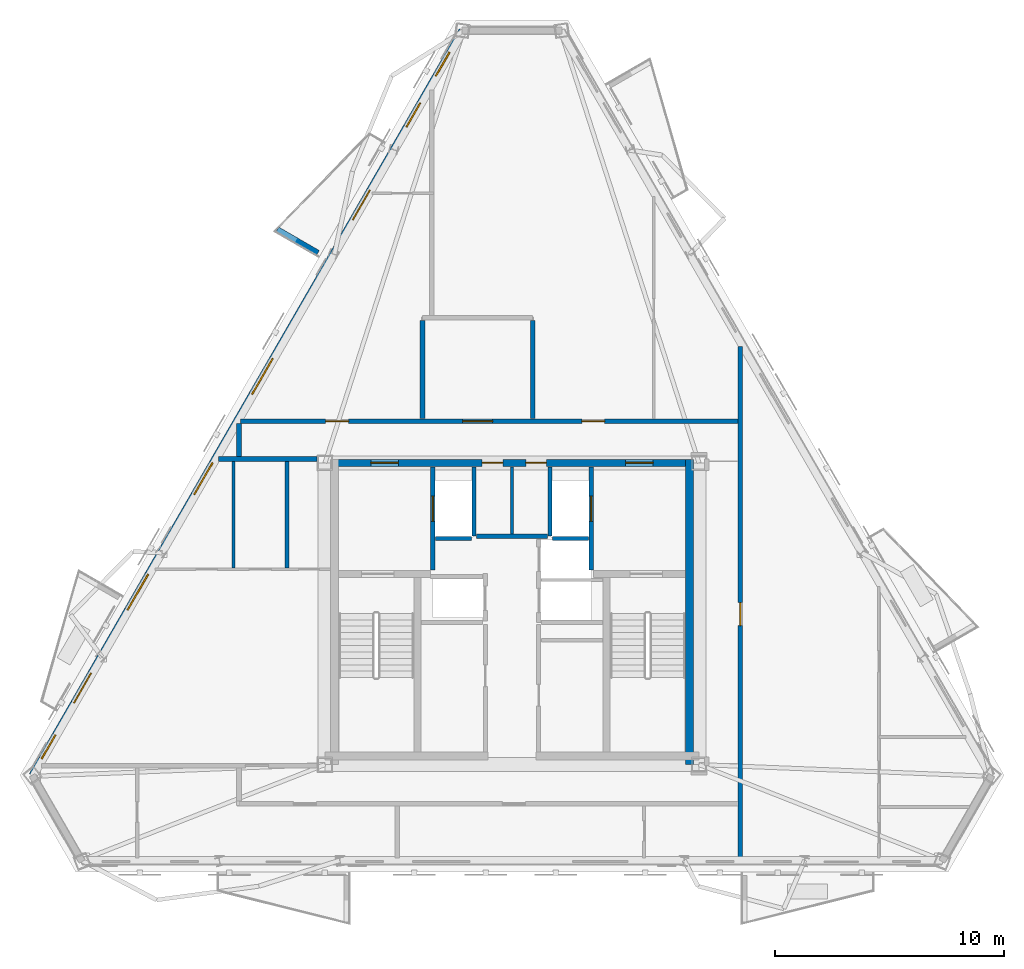
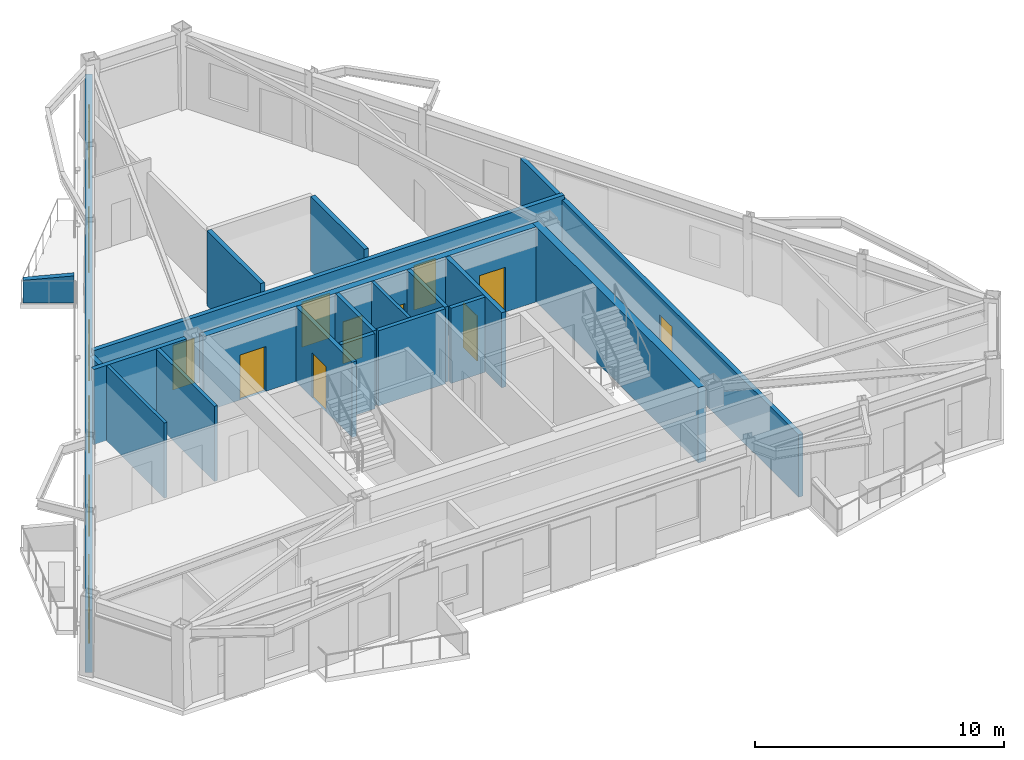
# One storey, part 4 of 9: 20 walls, 12 doors, 6 windows, 18 openings.
"""IFC4 building model written with IfcOpenShell, lengths in metres."""

import ifcopenshell
import ifcopenshell.guid

model = None  # the IFC model being written
_history = None  # IfcOwnerHistory: only IFC2X3 demands one
_inside = {}  # id of a spatial element -> (the spatial element, [elements in it])
_under = {}  # id of a project, library or spatial element -> (it, [spatial elements below it])
_declared = {}  # id of a project -> (the project, [libraries it declares])
_typed = {}  # id of a type object -> (the type object, [elements of that type])
_made_of = {}  # id of a material, layer set ... -> (it, [elements and type objects made of it])


def new_model(schema):
    """Start an empty IFC model of exactly this schema.

    Asked for "IFC4X3", IfcOpenShell would pick the latest addendum, in which some entities
    have other attributes; the version numbers below select the first issue.
    IFC2X3 requires an IfcOwnerHistory on every rooted entity: one is made here for all.
    """
    global model, _history
    if schema == "IFC4X3":
        model = ifcopenshell.file(schema_version=(4, 3, 0, 0))
    else:
        model = ifcopenshell.file(schema=schema)
    _inside.clear()
    _under.clear()
    _declared.clear()
    _typed.clear()
    _made_of.clear()
    _history = None
    if model.schema == "IFC2X3":
        org = make("IfcOrganization", Name="unknown")
        user = make(
            "IfcPersonAndOrganization",
            ThePerson=make("IfcPerson", FamilyName="unknown"),
            TheOrganization=org,
        )
        app = make(
            "IfcApplication",
            ApplicationDeveloper=org,
            Version="unknown",
            ApplicationFullName="unknown",
            ApplicationIdentifier="unknown",
        )
        _history = make(
            "IfcOwnerHistory",
            OwningUser=user,
            OwningApplication=app,
            ChangeAction="ADDED",
            CreationDate=0,
        )
    return model


def make(cls, **values):
    """One entity of the class cls with the attributes given. An attribute that is None is left unset."""
    return model.create_entity(
        cls, **{name: value for name, value in values.items() if value is not None}
    )


def rooted(cls, **values):
    """An entity with a GlobalId (a new one), such as an element, a storey or a relation."""
    return make(cls, GlobalId=ifcopenshell.guid.new(), OwnerHistory=_history, **values)


def si_unit(unit_type, name, prefix=None):
    """IfcSIUnit, for example si_unit("LENGTHUNIT", "METRE", prefix="MILLI")."""
    return make("IfcSIUnit", UnitType=unit_type, Prefix=prefix, Name=name)


def assignment(units):
    """IfcUnitAssignment: the units of a project."""
    return None if units is None else make("IfcUnitAssignment", Units=units)


def point(xyz):
    """IfcCartesianPoint."""
    return None if xyz is None else make("IfcCartesianPoint", Coordinates=xyz)


def direction(xyz):
    """IfcDirection."""
    return None if xyz is None else make("IfcDirection", DirectionRatios=xyz)


def frame(location, z_axis=None, x_axis=None):
    """IfcAxis2Placement3D, a coordinate frame: its origin and axes. An axis left out is left unset."""
    return make(
        "IfcAxis2Placement3D",
        Location=point(location),
        Axis=direction(z_axis),
        RefDirection=direction(x_axis),
    )


def frame_2d(location, x_axis=None):
    """IfcAxis2Placement2D, a coordinate frame in the plane: its origin and x axis."""
    return make(
        "IfcAxis2Placement2D", Location=point(location), RefDirection=direction(x_axis)
    )


def origin():
    """The frame at (0, 0, 0) with its axes left unset."""
    return frame((0.0, 0.0, 0.0))


def place(relative_to, where):
    """IfcLocalPlacement: puts the frame where relative to a parent placement (None: the world)."""
    return make(
        "IfcLocalPlacement", PlacementRelTo=relative_to, RelativePlacement=where
    )


def context(
    kind, dimensions, precision=None, world=None, true_north=None, identifier=None
):
    """IfcGeometricRepresentationContext, for example the 3D "Model" context."""
    return make(
        "IfcGeometricRepresentationContext",
        ContextIdentifier=identifier,
        ContextType=kind,
        CoordinateSpaceDimension=dimensions,
        Precision=precision,
        WorldCoordinateSystem=world,
        TrueNorth=true_north,
    )


def subcontext(parent, identifier, kind, view, scale=None):
    """IfcGeometricRepresentationSubContext, for example "Body" below "Model"."""
    return make(
        "IfcGeometricRepresentationSubContext",
        ContextIdentifier=identifier,
        ContextType=kind,
        ParentContext=parent,
        TargetScale=scale,
        TargetView=view,
    )


def project(units=None, contexts=None):
    """IfcProject with its units and contexts."""
    return rooted(
        "IfcProject",
        Name="project",
        RepresentationContexts=contexts,
        UnitsInContext=assignment(units),
    )


def spatial(cls, under=None, at=None, **own):
    """A site, building, storey or space (cls), placed at a placement, below another one or the project."""
    s = rooted(cls, ObjectPlacement=at, **own)
    if under is not None:
        _under.setdefault(under.id(), (under, []))[1].append(s)
    return s


def polyline(points):
    """IfcPolyline through the points."""
    return make("IfcPolyline", Points=[point(p) for p in points])


def profile(cls, at=None, kind="AREA", **sizes):
    """A parametric profile (cls). Its sizes go by their IFC names, for example OverallWidth=200.0."""
    return make(cls, ProfileType=kind, Position=at, **sizes)


def rectangle(**sizes):
    """IfcRectangleProfileDef."""
    return profile("IfcRectangleProfileDef", **sizes)


def outline(outer, holes=None, kind="AREA"):
    """IfcArbitraryClosedProfileDef: a profile drawn as a closed curve; with holes, ...WithVoids."""
    if holes is None:
        return make("IfcArbitraryClosedProfileDef", ProfileType=kind, OuterCurve=outer)
    return make(
        "IfcArbitraryProfileDefWithVoids",
        ProfileType=kind,
        OuterCurve=outer,
        InnerCurves=holes,
    )


def extrude(swept, where, along, depth):
    """IfcExtrudedAreaSolid: the profile swept, set in the frame where, extruded along a direction by depth."""
    return make(
        "IfcExtrudedAreaSolid",
        SweptArea=swept,
        Position=where,
        ExtrudedDirection=direction(along),
        Depth=depth,
    )


def shape(context_of_items, identifier, shape_type, items):
    """IfcShapeRepresentation: the items that make up one representation, for example the "Body"."""
    return make(
        "IfcShapeRepresentation",
        ContextOfItems=context_of_items,
        RepresentationIdentifier=identifier,
        RepresentationType=shape_type,
        Items=items,
    )


def material(Name=None, Category=None):
    """IfcMaterial."""
    return make("IfcMaterial", Name=Name, Category=Category)


def layer(
    of_material, thickness, ventilated=None, Name=None, Category=None, Priority=None
):
    """IfcMaterialLayer: one layer of a wall or slab, of a material (None: an air gap)."""
    return make(
        "IfcMaterialLayer",
        Material=of_material,
        LayerThickness=thickness,
        IsVentilated=ventilated,
        Name=Name,
        Category=Category,
        Priority=Priority,
    )


def layer_set(layers, Name=None):
    """IfcMaterialLayerSet."""
    return make("IfcMaterialLayerSet", MaterialLayers=layers, LayerSetName=Name)


def made_of(thing, what):
    """Note that an element or type object is made of a material, layer set ...; save() writes the relation."""
    if what is not None:
        _made_of.setdefault(what.id(), (what, []))[1].append(thing)
    return thing


def type_object(cls, material=None, **own):
    """A type object (cls), such as IfcWallType, which elements share."""
    return made_of(rooted(cls, **own), material)


def element(
    cls,
    number,
    at=None,
    inside=None,
    cuts=None,
    type_object=None,
    material=None,
    context=None,
    identifier="Body",
    shape_type=None,
    held_by="IfcProductDefinitionShape",
    body=None,
    shapes=None,
    **own,
):
    """One element of the class cls, such as IfcWall. Its Tag is "e" and its number.

    at: its placement. inside: the storey or other place that contains it. cuts: it is an
    opening in that element (IfcRelVoidsElement). A single representation is given by context,
    identifier, shape_type and body (its items); several are given by shapes. held_by: the class
    of the entity that holds the representations. save() writes the other relations.
    """
    e = rooted(cls, Tag="e%d" % number, ObjectPlacement=at, **own)
    if body is not None:
        shapes = [shape(context, identifier, shape_type, body)]
    if shapes is not None:
        e.Representation = make(held_by, Representations=shapes)
    if inside is not None:
        _inside.setdefault(inside.id(), (inside, []))[1].append(e)
    if cuts is not None:
        rooted(
            "IfcRelVoidsElement", RelatingBuildingElement=cuts, RelatedOpeningElement=e
        )
    if type_object is not None:
        _typed.setdefault(type_object.id(), (type_object, []))[1].append(e)
    return made_of(e, material)


def fill(opening, filler):
    """IfcRelFillsElement: the door or window that sits in an opening."""
    return rooted(
        "IfcRelFillsElement",
        RelatingOpeningElement=opening,
        RelatedBuildingElement=filler,
    )


def aggregate(whole, parts):
    """IfcRelAggregates: a whole, such as a stair, and the parts it consists of."""
    return rooted("IfcRelAggregates", RelatingObject=whole, RelatedObjects=parts)


def save(model, path):
    """Write the relations noted so far, then the file.

    IfcRelAggregates (storeys below a building ...), IfcRelContainedInSpatialStructure (elements
    in a storey), IfcRelDefinesByType, IfcRelAssociatesMaterial and IfcRelDeclares: one each for
    every whole, place, type object, material and project.
    """
    for whole, parts in _under.values():
        aggregate(whole, parts)
    for where, things in _inside.values():
        rooted(
            "IfcRelContainedInSpatialStructure",
            RelatedElements=things,
            RelatingStructure=where,
        )
    for kind, things in _typed.values():
        rooted("IfcRelDefinesByType", RelatedObjects=things, RelatingType=kind)
    for what, things in _made_of.values():
        rooted("IfcRelAssociatesMaterial", RelatedObjects=things, RelatingMaterial=what)
    for by, libraries in _declared.values():
        rooted("IfcRelDeclares", RelatingContext=by, RelatedDefinitions=libraries)
    model.write(path)


model = new_model("IFC4")

# Units and contexts
model_context = context("Model", 3, precision=1e-05, world=origin(), true_north=direction((0.0, 1.0)))
body_context = subcontext(model_context, "Body", "Model", "MODEL_VIEW")
ifc_project = project(units=[si_unit("LENGTHUNIT", "METRE"), si_unit("AREAUNIT", "SQUARE_METRE"), si_unit("VOLUMEUNIT", "CUBIC_METRE"), si_unit("PLANEANGLEUNIT", "RADIAN"), si_unit("MASSUNIT", "GRAM", prefix="KILO")], contexts=[model_context])

# Site, building, storey
site_placement = place(None, origin())
site = spatial("IfcSite", under=ifc_project, at=site_placement, CompositionType="ELEMENT")
building_placement = place(site_placement, origin())
building = spatial("IfcBuilding", under=site, at=building_placement, Name="Oramaril Tower", CompositionType="ELEMENT")
storey_placement = place(building_placement, frame((0.0, 0.0, 285.0)))
storey = spatial("IfcBuildingStorey", under=building, at=storey_placement, Name="L75", CompositionType="ELEMENT", Elevation=285.0)

# Wall, openings, doors, windows
ifc_material_1 = material(Name="Warm Cream Limestone", Category="masonry")
ifc_layer_1 = layer(ifc_material_1, 0.2900390625)
ifc_layer_set_1 = layer_set([ifc_layer_1], Name="WT-EXT29")
wall_type_1 = type_object("IfcWallType", Name="WT-EXT29", PredefinedType="SOLIDWALL", material=ifc_layer_set_1)
wall_1_placement = place(storey_placement, frame((35.325927734375, 42.994873046875, 0.0), z_axis=(0.0, 0.0, 1.0), x_axis=(-0.499999864727, -0.866025481884, 0.0)))
wall_1 = element("IfcWall", 1, at=wall_1_placement, inside=storey, type_object=wall_type_1, Name="L75 Tower Limestone Facade Wall 6M", PredefinedType="SOLIDWALL", context=body_context, shape_type="SweptSolid", body=[
    extrude(rectangle(XDim=37.48095703125, YDim=0.2900390625, at=frame_2d((18.740478515625, 0.0))), origin(), (0.0, 0.0, 1.0), 3.05810546875),
])
opening_1_placement = place(wall_1_placement, frame((8.034423828125, 0.0, 0.0)))
opening_1 = element("IfcOpeningElement", 2, at=opening_1_placement, cuts=wall_1, Name="Opening D-L75-BAL-NW1", PredefinedType="OPENING", context=body_context, shape_type="SweptSolid", body=[
    extrude(rectangle(XDim=1.5, YDim=2.199951171875, at=frame_2d((0.75, 1.10009765625))), frame((0.0, 0.14501953125, 0.0), z_axis=(0.0, -1.0, 0.0), x_axis=(1.0, 0.0, 0.0)), (0.0, 0.0, 1.0), 0.2900390625),
])
opening_2_placement = place(wall_1_placement, frame((32.34130859375, 0.0, 0.0)))
opening_2 = element("IfcOpeningElement", 3, at=opening_2_placement, cuts=wall_1, Name="Opening D-L75-BAL-NW2", PredefinedType="OPENING", context=body_context, shape_type="SweptSolid", body=[
    extrude(rectangle(XDim=1.5, YDim=2.199951171875, at=frame_2d((0.75, 1.10009765625))), frame((0.0, 0.14501953125, 0.0), z_axis=(0.0, -1.0, 0.0), x_axis=(1.0, 0.0, 0.0)), (0.0, 0.0, 1.0), 0.2900390625),
])
opening_3_placement = place(wall_1_placement, frame((35.4541015625, 0.0, 0.85009765625)))
opening_3 = element("IfcOpeningElement", 4, at=opening_3_placement, cuts=wall_1, Name="Opening WN-09", PredefinedType="OPENING", context=body_context, shape_type="SweptSolid", body=[
    extrude(rectangle(XDim=1.199951171875, YDim=1.47998046875, at=frame_2d((0.60009765625, 0.739990234375))), frame((0.0, 0.14501953125, 0.0), z_axis=(0.0, -1.0, 0.0), x_axis=(1.0, 0.0, 0.0)), (0.0, 0.0, 1.0), 0.2900390625),
])
opening_4_placement = place(wall_1_placement, frame((27.3671875, 0.0, 0.85009765625)))
opening_4 = element("IfcOpeningElement", 5, at=opening_4_placement, cuts=wall_1, Name="Opening WN-06", PredefinedType="OPENING", context=body_context, shape_type="SweptSolid", body=[
    extrude(rectangle(XDim=1.800048828125, YDim=1.75, at=frame_2d((0.89990234375, 0.875))), frame((0.0, 0.14501953125, 0.0), z_axis=(0.0, -1.0, 0.0), x_axis=(1.0, 0.0, 0.0)), (0.0, 0.0, 1.0), 0.2900390625),
])
opening_5_placement = place(wall_1_placement, frame((21.749755859375, 0.0, 0.85009765625)))
opening_5 = element("IfcOpeningElement", 6, at=opening_5_placement, cuts=wall_1, Name="Opening WN-07", PredefinedType="OPENING", context=body_context, shape_type="SweptSolid", body=[
    extrude(rectangle(XDim=1.60009765625, YDim=1.699951171875, at=frame_2d((0.800048828125, 0.85009765625))), frame((0.0, 0.14501953125, 0.0), z_axis=(0.0, -1.0, 0.0), x_axis=(1.0, 0.0, 0.0)), (0.0, 0.0, 1.0), 0.2900390625),
])
opening_6_placement = place(wall_1_placement, frame((16.509521484375, 0.0, 0.85009765625)))
opening_6 = element("IfcOpeningElement", 7, at=opening_6_placement, cuts=wall_1, Name="Opening WN-06", PredefinedType="OPENING", context=body_context, shape_type="SweptSolid", body=[
    extrude(rectangle(XDim=1.800048828125, YDim=1.75, at=frame_2d((0.89990234375, 0.875))), frame((0.0, 0.14501953125, 0.0), z_axis=(0.0, -1.0, 0.0), x_axis=(1.0, 0.0, 0.0)), (0.0, 0.0, 1.0), 0.2900390625),
])
opening_7_placement = place(wall_1_placement, frame((3.651611328125, 0.0, 0.85009765625)))
opening_7 = element("IfcOpeningElement", 8, at=opening_7_placement, cuts=wall_1, Name="Opening WN-09", PredefinedType="OPENING", context=body_context, shape_type="SweptSolid", body=[
    extrude(rectangle(XDim=1.199951171875, YDim=1.47998046875, at=frame_2d((0.60009765625, 0.739990234375))), frame((0.0, 0.14501953125, 0.0), z_axis=(0.0, -1.0, 0.0), x_axis=(1.0, 0.0, 0.0)), (0.0, 0.0, 1.0), 0.2900390625),
])
opening_8_placement = place(wall_1_placement, frame((1.093994140625, 0.0, 0.85009765625)))
opening_8 = element("IfcOpeningElement", 9, at=opening_8_placement, cuts=wall_1, Name="Opening WN-09", PredefinedType="OPENING", context=body_context, shape_type="SweptSolid", body=[
    extrude(rectangle(XDim=1.199951171875, YDim=1.47998046875, at=frame_2d((0.60009765625, 0.739990234375))), frame((0.0, 0.14501953125, 0.0), z_axis=(0.0, -1.0, 0.0), x_axis=(1.0, 0.0, 0.0)), (0.0, 0.0, 1.0), 0.2900390625),
])
ifc_material_2 = material(Name="Anodised Aluminium 6063-T6", Category="aluminium")
door_type_1 = type_object("IfcDoorType", Name="DT-BAL", OperationType="NOTDEFINED", PredefinedType="DOOR", material=ifc_material_2)
door_1_placement = place(opening_1_placement, origin())
door_1 = element("IfcDoor", 10, at=door_1_placement, inside=storey, type_object=door_type_1, Name="L75 Balcony Glazed Door L75-BAL-NW1", OperationType="SINGLE_SWING_RIGHT", OverallHeight=2.199951171875, OverallWidth=1.5, PredefinedType="DOOR", context=body_context, shape_type="SweptSolid", body=[
    extrude(rectangle(XDim=1.5, YDim=2.199951171875, at=frame_2d((0.75, 1.10009765625))), frame((0.0, 0.02490234375, 0.0), z_axis=(0.0, -1.0, 0.0), x_axis=(1.0, 0.0, 0.0)), (0.0, 0.0, 1.0), 0.050048828125),
])
fill(opening_1, door_1)
door_2_placement = place(opening_2_placement, origin())
door_2 = element("IfcDoor", 11, at=door_2_placement, inside=storey, type_object=door_type_1, Name="L75 Balcony Glazed Door L75-BAL-NW2", OperationType="SINGLE_SWING_LEFT", OverallHeight=2.199951171875, OverallWidth=1.5, PredefinedType="DOOR", context=body_context, shape_type="SweptSolid", body=[
    extrude(rectangle(XDim=1.5, YDim=2.199951171875, at=frame_2d((0.75, 1.10009765625))), frame((0.0, 0.02490234375, 0.0), z_axis=(0.0, -1.0, 0.0), x_axis=(1.0, 0.0, 0.0)), (0.0, 0.0, 1.0), 0.050048828125),
])
fill(opening_2, door_2)
ifc_material_3 = material(Name="Coastal Low-E Insulated Glass", Category="glass")
window_type_1 = type_object("IfcWindowType", Name="WNT-06", PartitioningType="SINGLE_PANEL", PredefinedType="WINDOW", material=ifc_material_3)
window_1_placement = place(opening_4_placement, origin())
window_1 = element("IfcWindow", 12, at=window_1_placement, inside=storey, type_object=window_type_1, Name="L75 Chicago Bay Window WN-06", OverallHeight=1.75, OverallWidth=1.800048828125, PartitioningType="SINGLE_PANEL", PredefinedType="WINDOW", context=body_context, shape_type="SweptSolid", body=[
    extrude(rectangle(XDim=1.800048828125, YDim=1.75, at=frame_2d((0.89990234375, 0.875))), frame((0.0, 0.030029296875, 0.0), z_axis=(0.0, -1.0, 0.0), x_axis=(1.0, 0.0, 0.0)), (0.0, 0.0, 1.0), 0.06005859375),
])
fill(opening_4, window_1)
window_2_placement = place(opening_6_placement, origin())
window_2 = element("IfcWindow", 13, at=window_2_placement, inside=storey, type_object=window_type_1, Name="L75 Chicago Bay Window WN-06", OverallHeight=1.75, OverallWidth=1.800048828125, PartitioningType="SINGLE_PANEL", PredefinedType="WINDOW", context=body_context, shape_type="SweptSolid", body=[
    extrude(rectangle(XDim=1.800048828125, YDim=1.75, at=frame_2d((0.89990234375, 0.875))), frame((0.0, 0.030029296875, 0.0), z_axis=(0.0, -1.0, 0.0), x_axis=(1.0, 0.0, 0.0)), (0.0, 0.0, 1.0), 0.06005859375),
])
fill(opening_6, window_2)
ifc_material_4 = material(Name="Coastal Low-E Insulated Glass", Category="glass")
window_type_2 = type_object("IfcWindowType", Name="WNT-07", PartitioningType="SINGLE_PANEL", PredefinedType="WINDOW", material=ifc_material_4)
window_3_placement = place(opening_5_placement, origin())
window_3 = element("IfcWindow", 14, at=window_3_placement, inside=storey, type_object=window_type_2, Name="L75 Chicago Bay Window WN-07", OverallHeight=1.699951171875, OverallWidth=1.60009765625, PartitioningType="SINGLE_PANEL", PredefinedType="WINDOW", context=body_context, shape_type="SweptSolid", body=[
    extrude(rectangle(XDim=1.60009765625, YDim=1.699951171875, at=frame_2d((0.800048828125, 0.85009765625))), frame((0.0, 0.030029296875, 0.0), z_axis=(0.0, -1.0, 0.0), x_axis=(1.0, 0.0, 0.0)), (0.0, 0.0, 1.0), 0.06005859375),
])
fill(opening_5, window_3)
ifc_material_5 = material(Name="Coastal Low-E Insulated Glass", Category="glass")
window_type_3 = type_object("IfcWindowType", Name="WNT-09", PartitioningType="SINGLE_PANEL", PredefinedType="WINDOW", material=ifc_material_5)
window_4_placement = place(opening_3_placement, origin())
window_4 = element("IfcWindow", 15, at=window_4_placement, inside=storey, type_object=window_type_3, Name="L75 Chicago Bay Window WN-09", OverallHeight=1.47998046875, OverallWidth=1.199951171875, PartitioningType="SINGLE_PANEL", PredefinedType="WINDOW", context=body_context, shape_type="SweptSolid", body=[
    extrude(rectangle(XDim=1.199951171875, YDim=1.47998046875, at=frame_2d((0.60009765625, 0.739990234375))), frame((0.0, 0.030029296875, 0.0), z_axis=(0.0, -1.0, 0.0), x_axis=(1.0, 0.0, 0.0)), (0.0, 0.0, 1.0), 0.06005859375),
])
fill(opening_3, window_4)
window_5_placement = place(opening_7_placement, origin())
window_5 = element("IfcWindow", 16, at=window_5_placement, inside=storey, type_object=window_type_3, Name="L75 Chicago Bay Window WN-09", OverallHeight=1.47998046875, OverallWidth=1.199951171875, PartitioningType="SINGLE_PANEL", PredefinedType="WINDOW", context=body_context, shape_type="SweptSolid", body=[
    extrude(rectangle(XDim=1.199951171875, YDim=1.47998046875, at=frame_2d((0.60009765625, 0.739990234375))), frame((0.0, 0.030029296875, 0.0), z_axis=(0.0, -1.0, 0.0), x_axis=(1.0, 0.0, 0.0)), (0.0, 0.0, 1.0), 0.06005859375),
])
fill(opening_7, window_5)
window_6_placement = place(opening_8_placement, origin())
window_6 = element("IfcWindow", 17, at=window_6_placement, inside=storey, type_object=window_type_3, Name="L75 Chicago Bay Window WN-09", OverallHeight=1.47998046875, OverallWidth=1.199951171875, PartitioningType="SINGLE_PANEL", PredefinedType="WINDOW", context=body_context, shape_type="SweptSolid", body=[
    extrude(rectangle(XDim=1.199951171875, YDim=1.47998046875, at=frame_2d((0.60009765625, 0.739990234375))), frame((0.0, 0.030029296875, 0.0), z_axis=(0.0, -1.0, 0.0), x_axis=(1.0, 0.0, 0.0)), (0.0, 0.0, 1.0), 0.06005859375),
])
fill(opening_8, window_6)

# Walls
ifc_material_6 = material(Name="Concrete C40/50", Category="concrete")
ifc_layer_2 = layer(ifc_material_6, 0.22998046875)
ifc_layer_set_2 = layer_set([ifc_layer_2], Name="WT-PRP23")
wall_type_2 = type_object("IfcWallType", Name="WT-PRP23", PredefinedType="PARAPET", material=ifc_layer_set_2)
wall_2_placement = place(storey_placement, frame((29.043212890625, 33.30908203125, 0.0), z_axis=(0.0, 0.0, 1.0), x_axis=(-0.866012356593, 0.500022597718, 0.0)))
element("IfcWall", 18, at=wall_2_placement, inside=storey, type_object=wall_type_2, Name="L75 Trapezoidal Balcony Frame Cheek L75-BAL-NW1-R", PredefinedType="PARAPET", context=body_context, shape_type="SweptSolid", body=[
    extrude(outline(polyline([(0.0, 0.0), (2.0419921875, 0.0), (2.0419921875, 1.10009765625), (0.0, 1.320068359375), (0.0, 0.0)])), frame((0.0, 0.114990234375, 0.0), z_axis=(0.0, -1.0, 0.0), x_axis=(1.0, 0.0, 0.0)), (0.0, 0.0, 1.0), 0.22998046875),
])
ifc_material_7 = material(Name="Acoustic Gypsum Board Partition")
ifc_layer_3 = layer(ifc_material_7, 0.139892578125)
ifc_layer_set_3 = layer_set([ifc_layer_3], Name="WT-PT14")
wall_type_3 = type_object("IfcWallType", Name="WT-PT14", PredefinedType="PARTITIONING", material=ifc_layer_set_3)
wall_3_placement = place(storey_placement, frame((37.5, 21.06005859375, 0.0), z_axis=(0.0, 0.0, 1.0), x_axis=(0.0, 1.0, 0.0)))
element("IfcWall", 19, at=wall_3_placement, inside=storey, type_object=wall_type_3, Name="L75 Core Service Divider", PredefinedType="PARTITIONING", context=body_context, shape_type="SweptSolid", body=[
    extrude(rectangle(XDim=2.919921875, YDim=0.139892578125, at=frame_2d((1.4599609375, 0.0))), origin(), (0.0, 0.0, 1.0), 3.679931640625),
])
wall_4_placement = place(storey_placement, frame((25.360107421875, 19.573974609375, 0.0), z_axis=(0.0, 0.0, 1.0), x_axis=(0.0, 1.0, 0.0)))
element("IfcWall", 20, at=wall_4_placement, inside=storey, type_object=wall_type_3, Name="L75 Interior Partition PT-14", PredefinedType="PARTITIONING", context=body_context, shape_type="SweptSolid", body=[
    extrude(rectangle(XDim=4.64208984375, YDim=0.139892578125, at=frame_2d((2.321044921875, 0.0))), origin(), (0.0, 0.0, 1.0), 3.679931640625),
])
ifc_material_8 = material(Name="Acoustic Gypsum Board Partition")
ifc_layer_4 = layer(ifc_material_8, 0.159912109375)
ifc_layer_set_4 = layer_set([ifc_layer_4], Name="WT-PT16")
wall_type_4 = type_object("IfcWallType", Name="WT-PT16", PredefinedType="PARTITIONING", material=ifc_layer_set_4)
wall_5_placement = place(storey_placement, frame((27.68994140625, 19.573974609375, 0.0), z_axis=(0.0, 0.0, 1.0), x_axis=(0.0, 1.0, 0.0)))
element("IfcWall", 21, at=wall_5_placement, inside=storey, type_object=wall_type_4, Name="L75 Interior Partition PT-16", PredefinedType="PARTITIONING", context=body_context, shape_type="SweptSolid", body=[
    extrude(rectangle(XDim=4.64208984375, YDim=0.159912109375, at=frame_2d((2.321044921875, 0.0))), origin(), (0.0, 0.0, 1.0), 3.679931640625),
])
ifc_material_9 = material(Name="Autoclaved Cellular Concrete Block", Category="concrete")
ifc_layer_5 = layer(ifc_material_9, 0.179931640625)
ifc_layer_set_5 = layer_set([ifc_layer_5], Name="WT-PT18")
wall_type_5 = type_object("IfcWallType", Name="WT-PT18", PredefinedType="PARTITIONING", material=ifc_layer_set_5)
wall_6_placement = place(storey_placement, frame((35.840087890625, 20.9599609375, 0.0), z_axis=(0.0, 0.0, 1.0), x_axis=(0.0, 1.0, 0.0)))
element("IfcWall", 22, at=wall_6_placement, inside=storey, type_object=wall_type_5, Name="L75 FL-1 East Shaft Wall", PredefinedType="PARTITIONING", context=body_context, shape_type="SweptSolid", body=[
    extrude(rectangle(XDim=3.02001953125, YDim=0.179931640625, at=frame_2d((1.510009765625, 0.0))), origin(), (0.0, 0.0, 1.0), 3.679931640625),
])
wall_7_placement = place(storey_placement, frame((34.159912109375, 20.860107421875, 0.0), z_axis=(0.0, 0.0, 1.0), x_axis=(1.0, 0.0, 0.0)))
element("IfcWall", 23, at=wall_7_placement, inside=storey, type_object=wall_type_5, Name="L75 FL-1 South Shaft Wall", PredefinedType="PARTITIONING", context=body_context, shape_type="SweptSolid", body=[
    extrude(rectangle(XDim=1.580078125, YDim=0.179931640625, at=frame_2d((0.7900390625, 0.0))), origin(), (0.0, 0.0, 1.0), 3.679931640625),
])
wall_8_placement = place(storey_placement, frame((39.159912109375, 20.9599609375, 0.0), z_axis=(0.0, 0.0, 1.0), x_axis=(0.0, 1.0, 0.0)))
element("IfcWall", 24, at=wall_8_placement, inside=storey, type_object=wall_type_5, Name="L75 FL-2 West Shaft Wall", PredefinedType="PARTITIONING", context=body_context, shape_type="SweptSolid", body=[
    extrude(rectangle(XDim=3.02001953125, YDim=0.179931640625, at=frame_2d((1.510009765625, 0.0))), origin(), (0.0, 0.0, 1.0), 3.679931640625),
])
wall_9_placement = place(storey_placement, frame((39.260009765625, 20.860107421875, 0.0), z_axis=(0.0, 0.0, 1.0), x_axis=(1.0, 0.0, 0.0)))
element("IfcWall", 25, at=wall_9_placement, inside=storey, type_object=wall_type_5, Name="L75 FL-2 South Shaft Wall", PredefinedType="PARTITIONING", context=body_context, shape_type="SweptSolid", body=[
    extrude(rectangle(XDim=1.580078125, YDim=0.179931640625, at=frame_2d((0.7900390625, 0.0))), origin(), (0.0, 0.0, 1.0), 3.679931640625),
])
wall_10_placement = place(storey_placement, frame((35.949951171875, 20.949951171875, 0.0), z_axis=(0.0, 0.0, 1.0), x_axis=(1.0, 0.0, 0.0)))
element("IfcWall", 26, at=wall_10_placement, inside=storey, type_object=wall_type_5, Name="L75 Lift Lobby North Partition", PredefinedType="PARTITIONING", context=body_context, shape_type="SweptSolid", body=[
    extrude(rectangle(XDim=3.10009765625, YDim=0.179931640625, at=frame_2d((1.550048828125, 0.0))), origin(), (0.0, 0.0, 1.0), 3.679931640625),
])
ifc_material_10 = material(Name="Autoclaved Cellular Concrete Block", Category="concrete")
ifc_layer_6 = layer(ifc_material_10, 0.199951171875)
ifc_layer_set_6 = layer_set([ifc_layer_6], Name="WT-PT20")
wall_type_6 = type_object("IfcWallType", Name="WT-PT20", PredefinedType="PARTITIONING", material=ifc_layer_set_6)
wall_11_placement = place(storey_placement, frame((24.716064453125, 24.320068359375, 0.0), z_axis=(0.0, 0.0, 1.0), x_axis=(1.0, 0.0, 0.0)))
element("IfcWall", 27, at=wall_11_placement, inside=storey, type_object=wall_type_6, Name="L75 Interior Partition PT-20", PredefinedType="PARTITIONING", context=body_context, shape_type="SweptSolid", body=[
    extrude(rectangle(XDim=4.2939453125, YDim=0.199951171875, at=frame_2d((2.14697265625, 0.0))), origin(), (0.0, 0.0, 1.0), 3.679931640625),
])

# Wall, openings, doors
wall_12_placement = place(storey_placement, frame((25.669921875, 25.969970703125, 0.0), z_axis=(0.0, 0.0, 1.0), x_axis=(1.0, 0.0, 0.0)))
wall_12 = element("IfcWall", 28, at=wall_12_placement, inside=storey, type_object=wall_type_6, Name="L75 Interior Partition PT-20", PredefinedType="PARTITIONING", context=body_context, shape_type="SweptSolid", body=[
    extrude(rectangle(XDim=21.780029296875, YDim=0.199951171875, at=frame_2d((10.89013671875, 0.0))), origin(), (0.0, 0.0, 1.0), 3.26611328125),
])
opening_9_placement = place(wall_12_placement, frame((3.709228515625, 0.0, 0.0)))
opening_9 = element("IfcOpeningElement", 29, at=opening_9_placement, cuts=wall_12, Name="Opening D-L75-07", PredefinedType="OPENING", context=body_context, shape_type="SweptSolid", body=[
    extrude(rectangle(XDim=1.0, YDim=2.179931640625, at=frame_2d((0.5, 1.08984375))), frame((0.0, 0.10009765625, 0.0), z_axis=(0.0, -1.0, 0.0), x_axis=(1.0, 0.0, 0.0)), (0.0, 0.0, 1.0), 0.199951171875),
])
opening_10_placement = place(wall_12_placement, frame((9.68017578125, 0.0, 0.0)))
opening_10 = element("IfcOpeningElement", 30, at=opening_10_placement, cuts=wall_12, Name="Opening D-L75-08", PredefinedType="OPENING", context=body_context, shape_type="SweptSolid", body=[
    extrude(rectangle(XDim=1.300048828125, YDim=2.199951171875, at=frame_2d((0.64990234375, 1.10009765625))), frame((0.0, 0.10009765625, 0.0), z_axis=(0.0, -1.0, 0.0), x_axis=(1.0, 0.0, 0.0)), (0.0, 0.0, 1.0), 0.199951171875),
])
opening_11_placement = place(wall_12_placement, frame((14.872314453125, 0.0, 0.0)))
opening_11 = element("IfcOpeningElement", 31, at=opening_11_placement, cuts=wall_12, Name="Opening D-L75-09", PredefinedType="OPENING", context=body_context, shape_type="SweptSolid", body=[
    extrude(rectangle(XDim=1.0, YDim=2.179931640625, at=frame_2d((0.5, 1.08984375))), frame((0.0, 0.10009765625, 0.0), z_axis=(0.0, -1.0, 0.0), x_axis=(1.0, 0.0, 0.0)), (0.0, 0.0, 1.0), 0.199951171875),
])
ifc_material_11 = material(Name="FSC Brazilian Freijo Hardwood", Category="wood")
door_type_2 = type_object("IfcDoorType", Name="DT-APT", OperationType="NOTDEFINED", PredefinedType="DOOR", material=ifc_material_11)
door_3_placement = place(opening_9_placement, origin())
door_3 = element("IfcDoor", 32, at=door_3_placement, inside=storey, type_object=door_type_2, Name="L75 Flat L75-U5 Kitchen and Studio Apartment Door D-L75-07", OperationType="SINGLE_SWING_RIGHT", OverallHeight=2.179931640625, OverallWidth=1.0, PredefinedType="DOOR", context=body_context, shape_type="SweptSolid", body=[
    extrude(rectangle(XDim=1.0, YDim=2.179931640625, at=frame_2d((0.5, 1.08984375))), frame((0.0, 0.02490234375, 0.0), z_axis=(0.0, -1.0, 0.0), x_axis=(1.0, 0.0, 0.0)), (0.0, 0.0, 1.0), 0.050048828125),
])
fill(opening_9, door_3)
door_4_placement = place(opening_11_placement, origin())
door_4 = element("IfcDoor", 33, at=door_4_placement, inside=storey, type_object=door_type_2, Name="L75 Flat L75-U6 Kitchen and Studio Apartment Door D-L75-09", OperationType="SINGLE_SWING_RIGHT", OverallHeight=2.179931640625, OverallWidth=1.0, PredefinedType="DOOR", context=body_context, shape_type="SweptSolid", body=[
    extrude(rectangle(XDim=1.0, YDim=2.179931640625, at=frame_2d((0.5, 1.08984375))), frame((0.0, 0.02490234375, 0.0), z_axis=(0.0, -1.0, 0.0), x_axis=(1.0, 0.0, 0.0)), (0.0, 0.0, 1.0), 0.050048828125),
])
fill(opening_11, door_4)
ifc_material_12 = material(Name="FSC Brazilian Freijo Hardwood", Category="wood")
door_type_3 = type_object("IfcDoorType", Name="DT-COM", OperationType="NOTDEFINED", PredefinedType="DOOR", material=ifc_material_12)
door_5_placement = place(opening_10_placement, origin())
door_5 = element("IfcDoor", 34, at=door_5_placement, inside=storey, type_object=door_type_3, Name="L75 L75 Floor Co-Working Office Suite Door D-L75-08", OperationType="SINGLE_SWING_LEFT", OverallHeight=2.199951171875, OverallWidth=1.300048828125, PredefinedType="DOOR", context=body_context, shape_type="SweptSolid", body=[
    extrude(rectangle(XDim=1.300048828125, YDim=2.199951171875, at=frame_2d((0.64990234375, 1.10009765625))), frame((0.0, 0.02490234375, 0.0), z_axis=(0.0, -1.0, 0.0), x_axis=(1.0, 0.0, 0.0)), (0.0, 0.0, 1.0), 0.050048828125),
])
fill(opening_10, door_5)

# Walls
wall_13_placement = place(storey_placement, frame((25.60009765625, 24.424072265625, 0.0), z_axis=(0.0, 0.0, 1.0), x_axis=(0.0, 1.0, 0.0)))
element("IfcWall", 35, at=wall_13_placement, inside=storey, type_object=wall_type_6, Name="L75 Interior Partition PT-20", PredefinedType="PARTITIONING", context=body_context, shape_type="SweptSolid", body=[
    extrude(rectangle(XDim=1.44189453125, YDim=0.199951171875, at=frame_2d((0.720947265625, 0.0))), origin(), (0.0, 0.0, 1.0), 3.05810546875),
])
for number, where, z_axis, x_axis, name in (
    (36, (33.60009765625, 26.073974609375, 0.0), (0.0, 0.0, 1.0), (0.0, 1.0, 0.0), "L75 Interior Partition PT-20"),
    (37, (38.39990234375, 26.073974609375, 0.0), (0.0, 0.0, 1.0), (0.0, 1.0, 0.0), "L75 Interior Partition PT-20"),
):
    element("IfcWall", number, at=place(storey_placement, frame(where, z_axis=z_axis, x_axis=x_axis)), inside=storey, type_object=wall_type_6, Name=name, PredefinedType="PARTITIONING", context=body_context, shape_type="SweptSolid", body=[
        extrude(rectangle(XDim=4.2919921875, YDim=0.199951171875, at=frame_2d((2.14599609375, 0.0))), origin(), (0.0, 0.0, 1.0), 3.679931640625),
    ])

# Wall, opening, door
wall_14_placement = place(storey_placement, frame((47.449951171875, 6.918701171875, 0.0), z_axis=(0.0, 0.0, 1.0), x_axis=(0.0, 1.0, 0.0)))
wall_14 = element("IfcWall", 38, at=wall_14_placement, inside=storey, type_object=wall_type_6, Name="L75 Interior Partition PT-20", PredefinedType="PARTITIONING", context=body_context, shape_type="SweptSolid", body=[
    extrude(rectangle(XDim=22.309814453125, YDim=0.199951171875, at=frame_2d((11.15478515625, 0.0))), origin(), (0.0, 0.0, 1.0), 3.05810546875),
])
opening_12_placement = place(wall_14_placement, frame((10.1416015625, 0.0, 0.0)))
opening_12 = element("IfcOpeningElement", 39, at=opening_12_placement, cuts=wall_14, Name="Opening D-L75-14", PredefinedType="OPENING", context=body_context, shape_type="SweptSolid", body=[
    extrude(rectangle(XDim=1.0, YDim=2.179931640625, at=frame_2d((0.5, 1.08984375))), frame((0.0, 0.10009765625, 0.0), z_axis=(0.0, -1.0, 0.0), x_axis=(1.0, 0.0, 0.0)), (0.0, 0.0, 1.0), 0.199951171875),
])
door_6_placement = place(opening_12_placement, origin())
door_6 = element("IfcDoor", 40, at=door_6_placement, inside=storey, type_object=door_type_2, Name="L75 Flat L75-U4 Penthouse Living and Dining Room Door D-L75-14", OperationType="SINGLE_SWING_LEFT", OverallHeight=2.179931640625, OverallWidth=1.0, PredefinedType="DOOR", context=body_context, shape_type="SweptSolid", body=[
    extrude(rectangle(XDim=1.0, YDim=2.179931640625, at=frame_2d((0.5, 1.08984375))), frame((0.0, 0.02490234375, 0.0), z_axis=(0.0, -1.0, 0.0), x_axis=(1.0, 0.0, 0.0)), (0.0, 0.0, 1.0), 0.050048828125),
])
fill(opening_12, door_6)

# Wall, openings, doors
ifc_material_13 = material(Name="Concrete C50/60", Category="concrete")
ifc_layer_7 = layer(ifc_material_13, 0.300048828125)
ifc_layer_set_7 = layer_set([ifc_layer_7], Name="WT-SH30")
wall_type_7 = type_object("IfcWallType", Name="WT-SH30", PredefinedType="SHEAR", material=ifc_layer_set_7)
wall_15_placement = place(storey_placement, frame((29.64990234375, 24.14990234375, 0.0), z_axis=(0.0, 0.0, 1.0), x_axis=(1.0, 0.0, 0.0)))
wall_15 = element("IfcWall", 41, at=wall_15_placement, inside=storey, type_object=wall_type_7, Name="L75 Core Shear Wall CW-N", PredefinedType="SHEAR", context=body_context, shape_type="SweptSolid", body=[
    extrude(rectangle(XDim=15.7001953125, YDim=0.300048828125, at=frame_2d((7.85009765625, 0.0))), origin(), (0.0, 0.0, 1.0), 3.679931640625),
])
opening_13_placement = place(wall_15_placement, frame((1.699951171875, 0.0, 0.0)))
opening_13 = element("IfcOpeningElement", 42, at=opening_13_placement, cuts=wall_15, Name="Opening D-L75-FFL1", PredefinedType="OPENING", context=body_context, shape_type="SweptSolid", body=[
    extrude(rectangle(XDim=1.199951171875, YDim=2.199951171875, at=frame_2d((0.60009765625, 1.10009765625))), frame((0.0, 0.14990234375, 0.0), z_axis=(0.0, -1.0, 0.0), x_axis=(1.0, 0.0, 0.0)), (0.0, 0.0, 1.0), 0.300048828125),
])
opening_14_placement = place(wall_15_placement, frame((12.800048828125, 0.0, 0.0)))
opening_14 = element("IfcOpeningElement", 43, at=opening_14_placement, cuts=wall_15, Name="Opening D-L75-FFL2", PredefinedType="OPENING", context=body_context, shape_type="SweptSolid", body=[
    extrude(rectangle(XDim=1.199951171875, YDim=2.199951171875, at=frame_2d((0.60009765625, 1.10009765625))), frame((0.0, 0.14990234375, 0.0), z_axis=(0.0, -1.0, 0.0), x_axis=(1.0, 0.0, 0.0)), (0.0, 0.0, 1.0), 0.300048828125),
])
opening_15_placement = place(wall_15_placement, frame((6.550048828125, 0.0, 0.0)))
opening_15 = element("IfcOpeningElement", 44, at=opening_15_placement, cuts=wall_15, Name="Opening D-L75-SV1", PredefinedType="OPENING", context=body_context, shape_type="SweptSolid", body=[
    extrude(rectangle(XDim=0.89990234375, YDim=2.050048828125, at=frame_2d((0.449951171875, 1.02490234375))), frame((0.0, 0.14990234375, 0.0), z_axis=(0.0, -1.0, 0.0), x_axis=(1.0, 0.0, 0.0)), (0.0, 0.0, 1.0), 0.300048828125),
])
opening_16_placement = place(wall_15_placement, frame((8.449951171875, 0.0, 0.0)))
opening_16 = element("IfcOpeningElement", 45, at=opening_16_placement, cuts=wall_15, Name="Opening D-L75-SV2", PredefinedType="OPENING", context=body_context, shape_type="SweptSolid", body=[
    extrude(rectangle(XDim=0.89990234375, YDim=2.050048828125, at=frame_2d((0.449951171875, 1.02490234375))), frame((0.0, 0.14990234375, 0.0), z_axis=(0.0, -1.0, 0.0), x_axis=(1.0, 0.0, 0.0)), (0.0, 0.0, 1.0), 0.300048828125),
])
ifc_material_14 = material(Name="Painted Galvanised Steel", Category="steel")
door_type_4 = type_object("IfcDoorType", Name="DT-FFL", OperationType="NOTDEFINED", PredefinedType="DOOR", material=ifc_material_14)
door_7_placement = place(opening_13_placement, origin())
door_7 = element("IfcDoor", 46, at=door_7_placement, inside=storey, type_object=door_type_4, Name="L75 Firefighting Lobby 1 Fire Door", OperationType="SINGLE_SWING_LEFT", OverallHeight=2.199951171875, OverallWidth=1.199951171875, PredefinedType="DOOR", context=body_context, shape_type="SweptSolid", body=[
    extrude(rectangle(XDim=1.199951171875, YDim=2.199951171875, at=frame_2d((0.60009765625, 1.10009765625))), frame((0.0, 0.02490234375, 0.0), z_axis=(0.0, -1.0, 0.0), x_axis=(1.0, 0.0, 0.0)), (0.0, 0.0, 1.0), 0.050048828125),
])
fill(opening_13, door_7)
door_8_placement = place(opening_14_placement, origin())
door_8 = element("IfcDoor", 47, at=door_8_placement, inside=storey, type_object=door_type_4, Name="L75 Firefighting Lobby 2 Fire Door", OperationType="SINGLE_SWING_RIGHT", OverallHeight=2.199951171875, OverallWidth=1.199951171875, PredefinedType="DOOR", context=body_context, shape_type="SweptSolid", body=[
    extrude(rectangle(XDim=1.199951171875, YDim=2.199951171875, at=frame_2d((0.60009765625, 1.10009765625))), frame((0.0, 0.02490234375, 0.0), z_axis=(0.0, -1.0, 0.0), x_axis=(1.0, 0.0, 0.0)), (0.0, 0.0, 1.0), 0.050048828125),
])
fill(opening_14, door_8)
ifc_material_15 = material(Name="Painted Galvanised Steel", Category="steel")
door_type_5 = type_object("IfcDoorType", Name="DT-SVC", OperationType="NOTDEFINED", PredefinedType="DOOR", material=ifc_material_15)
door_9_placement = place(opening_15_placement, origin())
door_9 = element("IfcDoor", 48, at=door_9_placement, inside=storey, type_object=door_type_5, Name="L75 Core Service Store 1 Door", OperationType="SINGLE_SWING_LEFT", OverallHeight=2.050048828125, OverallWidth=0.89990234375, PredefinedType="DOOR", context=body_context, shape_type="SweptSolid", body=[
    extrude(rectangle(XDim=0.89990234375, YDim=2.050048828125, at=frame_2d((0.449951171875, 1.02490234375))), frame((0.0, 0.02490234375, 0.0), z_axis=(0.0, -1.0, 0.0), x_axis=(1.0, 0.0, 0.0)), (0.0, 0.0, 1.0), 0.050048828125),
])
fill(opening_15, door_9)
door_10_placement = place(opening_16_placement, origin())
door_10 = element("IfcDoor", 49, at=door_10_placement, inside=storey, type_object=door_type_5, Name="L75 Core Service Store 2 Door", OperationType="SINGLE_SWING_RIGHT", OverallHeight=2.050048828125, OverallWidth=0.89990234375, PredefinedType="DOOR", context=body_context, shape_type="SweptSolid", body=[
    extrude(rectangle(XDim=0.89990234375, YDim=2.050048828125, at=frame_2d((0.449951171875, 1.02490234375))), frame((0.0, 0.02490234375, 0.0), z_axis=(0.0, -1.0, 0.0), x_axis=(1.0, 0.0, 0.0)), (0.0, 0.0, 1.0), 0.050048828125),
])
fill(opening_16, door_10)

# Wall
ifc_material_16 = material(Name="Concrete C50/60", Category="concrete")
ifc_layer_8 = layer(ifc_material_16, 0.35009765625)
ifc_layer_set_8 = layer_set([ifc_layer_8], Name="WT-SH35")
wall_type_8 = type_object("IfcWallType", Name="WT-SH35", PredefinedType="SHEAR", material=ifc_layer_set_8)
wall_16_placement = place(storey_placement, frame((45.235107421875, 11.0, 0.0), z_axis=(0.0, 0.0, 1.0), x_axis=(0.0, 1.0, 0.0)))
element("IfcWall", 50, at=wall_16_placement, inside=storey, type_object=wall_type_8, Name="L75 Core Shear Wall CW-E", PredefinedType="SHEAR", context=body_context, shape_type="SweptSolid", body=[
    extrude(rectangle(XDim=13.300048828125, YDim=0.35009765625, at=frame_2d((6.64990234375, 0.0))), origin(), (0.0, 0.0, 1.0), 3.679931640625),
])

# Wall, opening, door
ifc_material_17 = material(Name="Autoclaved Cellular Concrete Block", Category="concrete")
ifc_layer_9 = layer(ifc_material_17, 0.199951171875)
ifc_layer_set_9 = layer_set([ifc_layer_9], Name="WT-SHF20")
wall_type_9 = type_object("IfcWallType", Name="WT-SHF20", PredefinedType="PARTITIONING", material=ifc_layer_set_9)
wall_17_placement = place(storey_placement, frame((34.0400390625, 19.47998046875, 0.0), z_axis=(0.0, 0.0, 1.0), x_axis=(0.0, 1.0, 0.0)))
wall_17 = element("IfcWall", 51, at=wall_17_placement, inside=storey, type_object=wall_type_9, Name="L75 FL-1 Lobby Shaft Wall", PredefinedType="PARTITIONING", context=body_context, shape_type="SweptSolid", body=[
    extrude(rectangle(XDim=4.5, YDim=0.199951171875, at=frame_2d((2.25, 0.0))), origin(), (0.0, 0.0, 1.0), 3.679931640625),
])
opening_17_placement = place(wall_17_placement, frame((2.1201171875, 0.0, 0.0)))
opening_17 = element("IfcOpeningElement", 52, at=opening_17_placement, cuts=wall_17, Name="Opening LD-L75-FL-1", PredefinedType="OPENING", context=body_context, shape_type="SweptSolid", body=[
    extrude(rectangle(XDim=1.10009765625, YDim=2.199951171875, at=frame_2d((0.550048828125, 1.10009765625))), frame((0.0, 0.10009765625, 0.0), z_axis=(0.0, -1.0, 0.0), x_axis=(1.0, 0.0, 0.0)), (0.0, 0.0, 1.0), 0.199951171875),
])
ifc_material_18 = material(Name="Stainless Steel 316L", Category="steel")
door_type_6 = type_object("IfcDoorType", Name="DT-LD1", OperationType="NOTDEFINED", PredefinedType="DOOR", material=ifc_material_18)
door_11_placement = place(opening_17_placement, origin())
door_11 = element("IfcDoor", 53, at=door_11_placement, inside=storey, type_object=door_type_6, Name="L75 Lift FL-1 Sliding Landing Door", OperationType="SLIDING_TO_LEFT", OverallHeight=2.199951171875, OverallWidth=1.10009765625, PredefinedType="DOOR", context=body_context, shape_type="SweptSolid", body=[
    extrude(rectangle(XDim=1.10009765625, YDim=2.199951171875, at=frame_2d((0.550048828125, 1.10009765625))), frame((0.0, 0.02490234375, 0.0), z_axis=(0.0, -1.0, 0.0), x_axis=(1.0, 0.0, 0.0)), (0.0, 0.0, 1.0), 0.050048828125),
])
fill(opening_17, door_11)

wall_18_placement = place(storey_placement, frame((40.9599609375, 19.47998046875, 0.0), z_axis=(0.0, 0.0, 1.0), x_axis=(0.0, 1.0, 0.0)))
wall_18 = element("IfcWall", 54, at=wall_18_placement, inside=storey, type_object=wall_type_9, Name="L75 FL-2 Lobby Shaft Wall", PredefinedType="PARTITIONING", context=body_context, shape_type="SweptSolid", body=[
    extrude(rectangle(XDim=4.5, YDim=0.199951171875, at=frame_2d((2.25, 0.0))), origin(), (0.0, 0.0, 1.0), 3.679931640625),
])
opening_18_placement = place(wall_18_placement, frame((2.1201171875, 0.0, 0.0)))
opening_18 = element("IfcOpeningElement", 55, at=opening_18_placement, cuts=wall_18, Name="Opening LD-L75-FL-2", PredefinedType="OPENING", context=body_context, shape_type="SweptSolid", body=[
    extrude(rectangle(XDim=1.10009765625, YDim=2.199951171875, at=frame_2d((0.550048828125, 1.10009765625))), frame((0.0, 0.10009765625, 0.0), z_axis=(0.0, -1.0, 0.0), x_axis=(1.0, 0.0, 0.0)), (0.0, 0.0, 1.0), 0.199951171875),
])
door_12_placement = place(opening_18_placement, origin())
door_12 = element("IfcDoor", 56, at=door_12_placement, inside=storey, type_object=door_type_6, Name="L75 Lift FL-2 Sliding Landing Door", OperationType="SLIDING_TO_RIGHT", OverallHeight=2.199951171875, OverallWidth=1.10009765625, PredefinedType="DOOR", context=body_context, shape_type="SweptSolid", body=[
    extrude(rectangle(XDim=1.10009765625, YDim=2.199951171875, at=frame_2d((0.550048828125, 1.10009765625))), frame((0.0, 0.02490234375, 0.0), z_axis=(0.0, -1.0, 0.0), x_axis=(1.0, 0.0, 0.0)), (0.0, 0.0, 1.0), 0.050048828125),
])
fill(opening_18, door_12)

save(model, "model.ifc")
